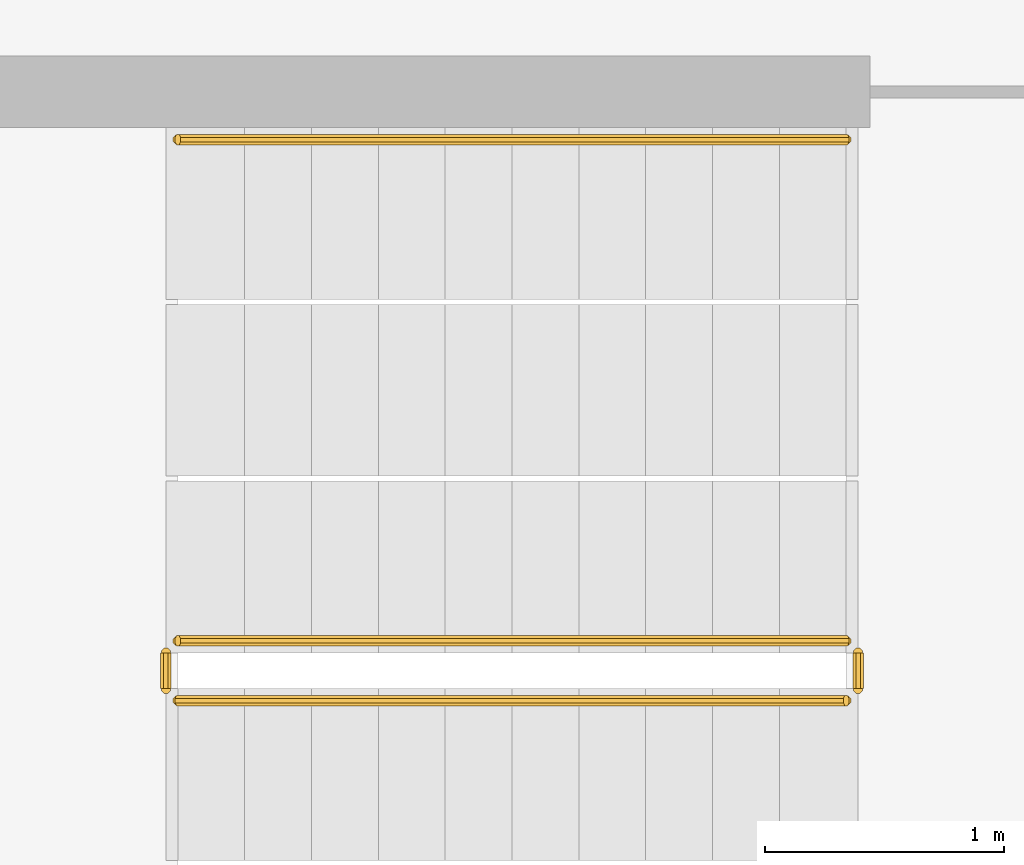
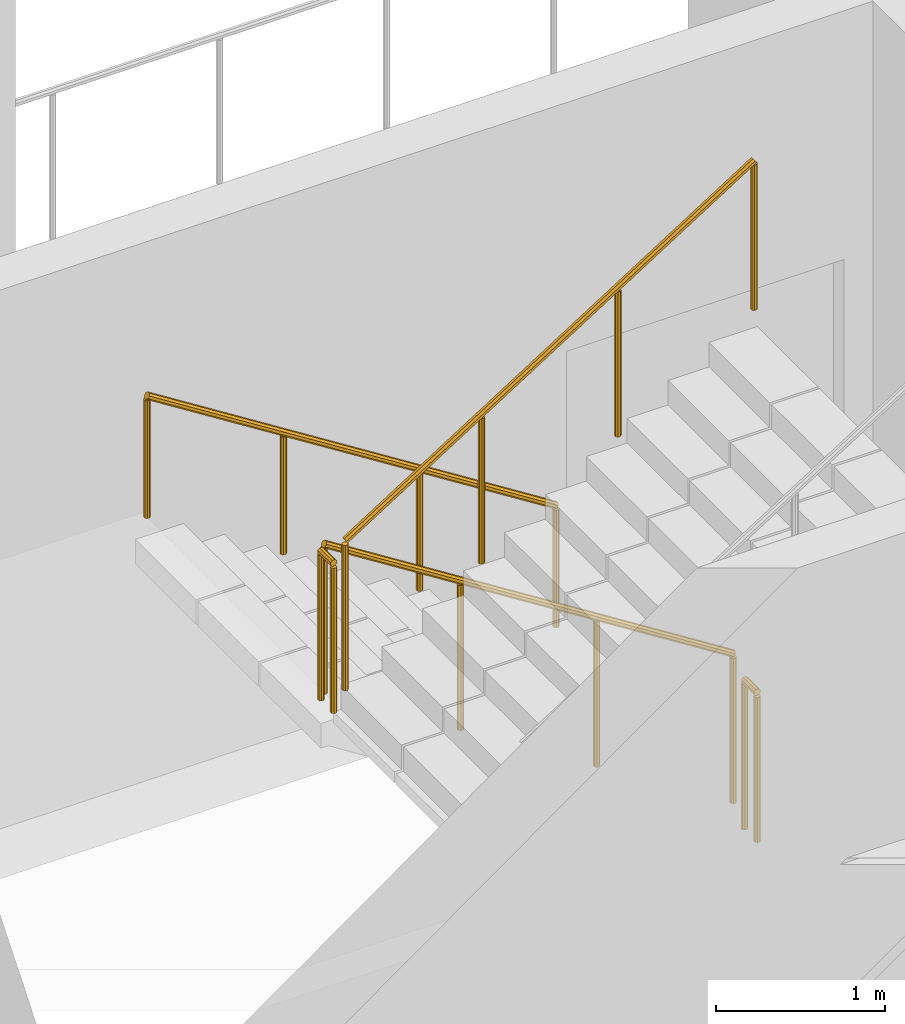
# One storey, part 19 of 26: 5 railings.
"""IFC4 building model written with IfcOpenShell, lengths in metres."""

from ifc_helpers import new_model, si_unit, direction, frame, origin, place, context, subcontext, project, spatial, polyline, outline, extrude, material, type_object, element, save


model = new_model("IFC4")

# Units and contexts
model_context = context("Model", 3, precision=1e-05, world=origin(), true_north=direction((0.0, 1.0)))
body_context = subcontext(model_context, "Body", "Model", "MODEL_VIEW")
ifc_project = project(units=[si_unit("LENGTHUNIT", "METRE"), si_unit("AREAUNIT", "SQUARE_METRE"), si_unit("VOLUMEUNIT", "CUBIC_METRE"), si_unit("PLANEANGLEUNIT", "RADIAN"), si_unit("MASSUNIT", "GRAM", prefix="KILO")], contexts=[model_context])

# Site, building, storey
site_placement = place(None, origin())
site = spatial("IfcSite", under=ifc_project, at=site_placement, CompositionType="ELEMENT")
building_placement = place(site_placement, origin())
building = spatial("IfcBuilding", under=site, at=building_placement, Name="Cormorant Relay Tower", CompositionType="ELEMENT")
storey_placement = place(building_placement, frame((0.0, 0.0, 248.10009765625)))
storey = spatial("IfcBuildingStorey", under=building, at=storey_placement, Name="L55", CompositionType="ELEMENT", Elevation=248.10009765625)

# Railings
ifc_material_1 = material(Name="Steel ASTM A572 Grade 50 (Fy 345 MPa)", Category="steel")
railing_type_1 = type_object("IfcRailingType", Name="Stair guard 1100", PredefinedType="GUARDRAIL", material=ifc_material_1)
railing_1_placement = place(storey_placement, frame((1.60009765625, -18.27490234375, 0.17724609375)))
element("IfcRailing", 1, at=railing_1_placement, inside=storey, type_object=railing_type_1, Name="L55 RK1 stair guard 1", PredefinedType="GUARDRAIL", context=body_context, shape_type="SweptSolid", body=[
    extrude(outline(polyline([(0.022216796875, 0.00927734375), (0.00927734375, 0.022216796875), (-0.00927734375, 0.022216796875), (-0.022216796875, 0.00927734375), (-0.022216796875, -0.00927734375), (-0.00927734375, -0.022216796875), (0.00927734375, -0.022216796875), (0.022216796875, -0.00927734375), (0.022216796875, 0.00927734375)])), frame((0.0, 0.0, 1.076171875), z_axis=(-0.844908973607, 0.0, 0.534910110503), x_axis=(0.0, -1.0, 0.0)), (0.0, 0.0, 1.0), 3.31396484375),
    extrude(outline(polyline([(0.019287109375, 0.008056640625), (0.008056640625, 0.019287109375), (-0.008056640625, 0.019287109375), (-0.019287109375, 0.008056640625), (-0.019287109375, -0.008056640625), (-0.008056640625, -0.019287109375), (0.008056640625, -0.019287109375), (0.019287109375, -0.008056640625), (0.019287109375, 0.008056640625)])), origin(), (0.0, 0.0, 1.0), 1.052001953125),
    extrude(outline(polyline([(0.019287109375, 0.008056640625), (0.008056640625, 0.019287109375), (-0.008056640625, 0.019287109375), (-0.019287109375, 0.008056640625), (-0.019287109375, -0.008056640625), (-0.008056640625, -0.019287109375), (0.008056640625, -0.019287109375), (0.019287109375, -0.008056640625), (0.019287109375, 0.008056640625)])), frame((-0.933349609375, 0.0, 0.5908203125)), (0.0, 0.0, 1.0), 1.052001953125),
    extrude(outline(polyline([(0.019287109375, 0.008056640625), (0.008056640625, 0.019287109375), (-0.008056640625, 0.019287109375), (-0.019287109375, 0.008056640625), (-0.019287109375, -0.008056640625), (-0.008056640625, -0.019287109375), (0.008056640625, -0.019287109375), (0.019287109375, -0.008056640625), (0.019287109375, 0.008056640625)])), frame((-1.86669921875, 0.0, 1.181884765625)), (0.0, 0.0, 1.0), 1.052001953125),
    extrude(outline(polyline([(0.019287109375, 0.008056640625), (0.008056640625, 0.019287109375), (-0.008056640625, 0.019287109375), (-0.019287109375, 0.008056640625), (-0.019287109375, -0.008056640625), (-0.008056640625, -0.019287109375), (0.008056640625, -0.019287109375), (0.019287109375, -0.008056640625), (0.019287109375, 0.008056640625)])), frame((-2.800048828125, 0.0, 1.772705078125)), (0.0, 0.0, 1.0), 1.052001953125),
])
railing_2_placement = place(storey_placement, frame((-1.25, -18.324951171875, 1.949951171875)))
element("IfcRailing", 2, at=railing_2_placement, inside=storey, type_object=railing_type_1, Name="L55 RK1 stair guard 2", PredefinedType="GUARDRAIL", context=body_context, shape_type="SweptSolid", body=[
    extrude(outline(polyline([(0.022216796875, 0.00927734375), (0.00927734375, 0.022216796875), (-0.00927734375, 0.022216796875), (-0.022216796875, 0.00927734375), (-0.022216796875, -0.00927734375), (-0.00927734375, -0.022216796875), (0.00927734375, -0.022216796875), (0.022216796875, -0.00927734375), (0.022216796875, 0.00927734375)])), frame((0.0, 0.0, 1.076171875), z_axis=(0.0, -1.0, 0.0), x_axis=(1.0, 0.0, 0.0)), (0.0, 0.0, 1.0), 0.150146484375),
    extrude(outline(polyline([(0.019287109375, 0.008056640625), (0.008056640625, 0.019287109375), (-0.008056640625, 0.019287109375), (-0.019287109375, 0.008056640625), (-0.019287109375, -0.008056640625), (-0.008056640625, -0.019287109375), (0.008056640625, -0.019287109375), (0.019287109375, -0.008056640625), (0.019287109375, 0.008056640625)])), origin(), (0.0, 0.0, 1.0), 1.052001953125),
    extrude(outline(polyline([(0.019287109375, 0.008056640625), (0.008056640625, 0.019287109375), (-0.008056640625, 0.019287109375), (-0.019287109375, 0.008056640625), (-0.019287109375, -0.008056640625), (-0.008056640625, -0.019287109375), (0.008056640625, -0.019287109375), (0.019287109375, -0.008056640625), (0.019287109375, 0.008056640625)])), frame((0.0, -0.150146484375, 0.0)), (0.0, 0.0, 1.0), 1.052001953125),
])
railing_3_placement = place(storey_placement, frame((-1.199951171875, -18.52490234375, 2.127197265625)))
element("IfcRailing", 3, at=railing_3_placement, inside=storey, type_object=railing_type_1, Name="L55 RK1 stair guard 3", PredefinedType="GUARDRAIL", context=body_context, shape_type="SweptSolid", body=[
    extrude(outline(polyline([(0.022216796875, 0.00927734375), (0.00927734375, 0.022216796875), (-0.00927734375, 0.022216796875), (-0.022216796875, 0.00927734375), (-0.022216796875, -0.00927734375), (-0.00927734375, -0.022216796875), (0.00927734375, -0.022216796875), (0.022216796875, -0.00927734375), (0.022216796875, 0.00927734375)])), frame((0.0, 0.0, 1.076171875), z_axis=(0.844908973607, 0.0, 0.534910110503), x_axis=(0.0, 1.0, 0.0)), (0.0, 0.0, 1.0), 3.31396484375),
    extrude(outline(polyline([(0.019287109375, 0.008056640625), (0.008056640625, 0.019287109375), (-0.008056640625, 0.019287109375), (-0.019287109375, 0.008056640625), (-0.019287109375, -0.008056640625), (-0.008056640625, -0.019287109375), (0.008056640625, -0.019287109375), (0.019287109375, -0.008056640625), (0.019287109375, 0.008056640625)])), origin(), (0.0, 0.0, 1.0), 1.052001953125),
    extrude(outline(polyline([(0.019287109375, 0.008056640625), (0.008056640625, 0.019287109375), (-0.008056640625, 0.019287109375), (-0.019287109375, 0.008056640625), (-0.019287109375, -0.008056640625), (-0.008056640625, -0.019287109375), (0.008056640625, -0.019287109375), (0.019287109375, -0.008056640625), (0.019287109375, 0.008056640625)])), frame((0.933349609375, 0.0, 0.5908203125)), (0.0, 0.0, 1.0), 1.052001953125),
    extrude(outline(polyline([(0.019287109375, 0.008056640625), (0.008056640625, 0.019287109375), (-0.008056640625, 0.019287109375), (-0.019287109375, 0.008056640625), (-0.019287109375, -0.008056640625), (-0.008056640625, -0.019287109375), (0.008056640625, -0.019287109375), (0.019287109375, -0.008056640625), (0.019287109375, 0.008056640625)])), frame((1.86669921875, 0.0, 1.181884765625)), (0.0, 0.0, 1.0), 1.052001953125),
    extrude(outline(polyline([(0.019287109375, 0.008056640625), (0.008056640625, 0.019287109375), (-0.008056640625, 0.019287109375), (-0.019287109375, 0.008056640625), (-0.019287109375, -0.008056640625), (-0.008056640625, -0.019287109375), (0.008056640625, -0.019287109375), (0.019287109375, -0.008056640625), (0.019287109375, 0.008056640625)])), frame((2.800048828125, 0.0, 1.772705078125)), (0.0, 0.0, 1.0), 1.052001953125),
])
railing_4_placement = place(storey_placement, frame((1.64990234375, -18.324951171875, 0.0)))
element("IfcRailing", 4, at=railing_4_placement, inside=storey, type_object=railing_type_1, Name="L55 RK1 stair guard 4", PredefinedType="GUARDRAIL", context=body_context, shape_type="SweptSolid", body=[
    extrude(outline(polyline([(0.022216796875, 0.00927734375), (0.00927734375, 0.022216796875), (-0.00927734375, 0.022216796875), (-0.022216796875, 0.00927734375), (-0.022216796875, -0.00927734375), (-0.00927734375, -0.022216796875), (0.00927734375, -0.022216796875), (0.022216796875, -0.00927734375), (0.022216796875, 0.00927734375)])), frame((0.0, 0.0, 1.076171875), z_axis=(0.0, -1.0, 0.0), x_axis=(1.0, 0.0, 0.0)), (0.0, 0.0, 1.0), 0.150146484375),
    extrude(outline(polyline([(0.019287109375, 0.008056640625), (0.008056640625, 0.019287109375), (-0.008056640625, 0.019287109375), (-0.019287109375, 0.008056640625), (-0.019287109375, -0.008056640625), (-0.008056640625, -0.019287109375), (0.008056640625, -0.019287109375), (0.019287109375, -0.008056640625), (0.019287109375, 0.008056640625)])), origin(), (0.0, 0.0, 1.0), 1.052001953125),
    extrude(outline(polyline([(0.019287109375, 0.008056640625), (0.008056640625, 0.019287109375), (-0.008056640625, 0.019287109375), (-0.019287109375, 0.008056640625), (-0.019287109375, -0.008056640625), (-0.008056640625, -0.019287109375), (0.008056640625, -0.019287109375), (0.019287109375, -0.008056640625), (0.019287109375, 0.008056640625)])), frame((0.0, -0.150146484375, 0.0)), (0.0, 0.0, 1.0), 1.052001953125),
])
ifc_material_2 = material(Name="Steel ASTM A572 Grade 50 (Fy 345 MPa)", Category="steel")
railing_type_2 = type_object("IfcRailingType", Name="Stair handrail 900", PredefinedType="HANDRAIL", material=ifc_material_2)
railing_5_placement = place(storey_placement, frame((1.60009765625, -16.175048828125, 0.17724609375)))
element("IfcRailing", 5, at=railing_5_placement, inside=storey, type_object=railing_type_2, Name="L55 RK1 stair handrail 1", PredefinedType="HANDRAIL", context=body_context, shape_type="SweptSolid", body=[
    extrude(outline(polyline([(0.022216796875, 0.00927734375), (0.00927734375, 0.022216796875), (-0.00927734375, 0.022216796875), (-0.022216796875, 0.00927734375), (-0.022216796875, -0.00927734375), (-0.00927734375, -0.022216796875), (0.00927734375, -0.022216796875), (0.022216796875, -0.00927734375), (0.022216796875, 0.00927734375)])), frame((0.0, 0.0, 0.8759765625), z_axis=(-0.844908973607, 0.0, 0.534910110503), x_axis=(0.0, -1.0, 0.0)), (0.0, 0.0, 1.0), 3.31396484375),
    extrude(outline(polyline([(0.019287109375, 0.008056640625), (0.008056640625, 0.019287109375), (-0.008056640625, 0.019287109375), (-0.019287109375, 0.008056640625), (-0.019287109375, -0.008056640625), (-0.008056640625, -0.019287109375), (0.008056640625, -0.019287109375), (0.019287109375, -0.008056640625), (0.019287109375, 0.008056640625)])), origin(), (0.0, 0.0, 1.0), 0.851806640625),
    extrude(outline(polyline([(0.019287109375, 0.008056640625), (0.008056640625, 0.019287109375), (-0.008056640625, 0.019287109375), (-0.019287109375, 0.008056640625), (-0.019287109375, -0.008056640625), (-0.008056640625, -0.019287109375), (0.008056640625, -0.019287109375), (0.019287109375, -0.008056640625), (0.019287109375, 0.008056640625)])), frame((-0.933349609375, 0.0, 0.5908203125)), (0.0, 0.0, 1.0), 0.851806640625),
    extrude(outline(polyline([(0.019287109375, 0.008056640625), (0.008056640625, 0.019287109375), (-0.008056640625, 0.019287109375), (-0.019287109375, 0.008056640625), (-0.019287109375, -0.008056640625), (-0.008056640625, -0.019287109375), (0.008056640625, -0.019287109375), (0.019287109375, -0.008056640625), (0.019287109375, 0.008056640625)])), frame((-1.86669921875, 0.0, 1.181884765625)), (0.0, 0.0, 1.0), 0.851806640625),
    extrude(outline(polyline([(0.019287109375, 0.008056640625), (0.008056640625, 0.019287109375), (-0.008056640625, 0.019287109375), (-0.019287109375, 0.008056640625), (-0.019287109375, -0.008056640625), (-0.008056640625, -0.019287109375), (0.008056640625, -0.019287109375), (0.019287109375, -0.008056640625), (0.019287109375, 0.008056640625)])), frame((-2.800048828125, 0.0, 1.772705078125)), (0.0, 0.0, 1.0), 0.851806640625),
])

save(model, "model.ifc")
